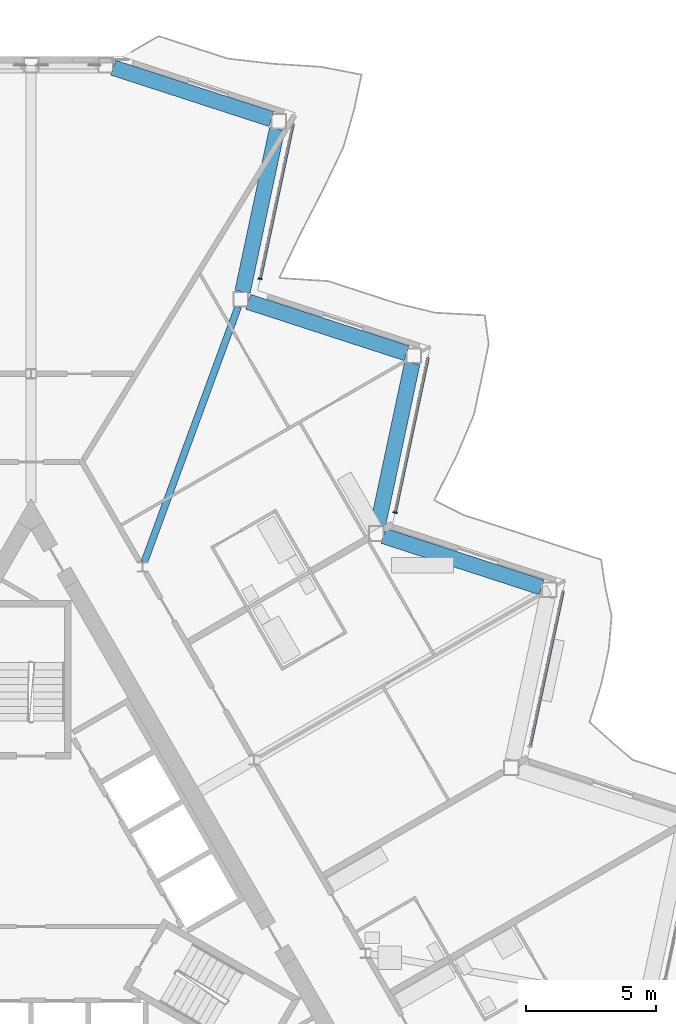
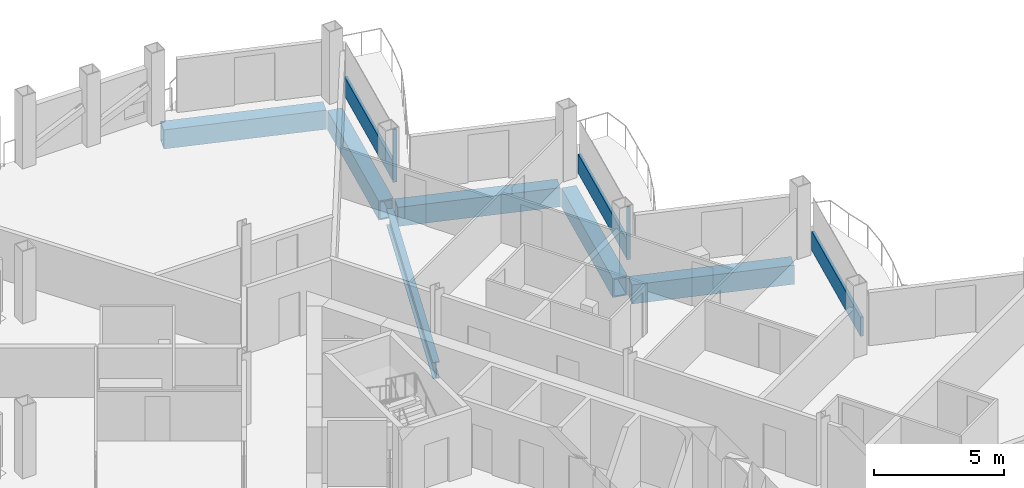
# One storey, part 11 of 28: 6 beams, 5 members, 3 elements without a shape of their own.
"""IFC4 building model written with IfcOpenShell, lengths in metres."""

from ifc_helpers import new_model, si_unit, direction, frame, origin, origin_2d, place, context, subcontext, project, spatial, rectangle, hollow_rectangle, i_section, extrude, material, layer, layer_set, material_profile, profile_set, type_object, element, aggregate, save


model = new_model("IFC4")

# Units and contexts
model_context = context("Model", 3, precision=1e-05, world=origin(), true_north=direction((0.0, 1.0)))
body_context = subcontext(model_context, "Body", "Model", "MODEL_VIEW")
ifc_project = project(units=[si_unit("LENGTHUNIT", "METRE"), si_unit("AREAUNIT", "SQUARE_METRE"), si_unit("VOLUMEUNIT", "CUBIC_METRE"), si_unit("PLANEANGLEUNIT", "RADIAN"), si_unit("MASSUNIT", "GRAM", prefix="KILO")], contexts=[model_context])

# Site, building, storey
site_placement = place(None, origin())
site = spatial("IfcSite", under=ifc_project, at=site_placement, CompositionType="ELEMENT")
building_placement = place(site_placement, origin())
building = spatial("IfcBuilding", under=site, at=building_placement, Name="Cormorant Prow Tower", CompositionType="ELEMENT")
storey_placement = place(building_placement, frame((0.0, 0.0, 301.800048828125)))
storey = spatial("IfcBuildingStorey", under=building, at=storey_placement, Name="L65", CompositionType="ELEMENT", Elevation=301.800048828125)

# Beams
ifc_material_1 = material(Name="Structural steel ASTM A572 Gr 50", Category="steel")
ifc_material_profile_1 = material_profile(ifc_material_1, hollow_rectangle(XDim=0.60009765625, YDim=0.89990234375, WallThickness=0.06005859375, at=origin_2d()), Name="Box 900x600x60")
ifc_profile_set_1 = profile_set([ifc_material_profile_1], Name="Structural steel ASTM A572 Gr 50")
beam_type_1 = type_object("IfcBeamType", Name="Belt truss top chord 900x600x60", PredefinedType="BEAM", material=ifc_profile_set_1)
for number, where, z_axis, x_axis, name in (
    (1, (19.640380859375, 11.5966796875, -0.75), (-0.95105314132, 0.309027381286, 0.0), (-0.309027381286, -0.95105314132, 0.0), "Belt truss top chord TC2 ENE05-ENE06 L65"),
    (2, (13.334228515625, 13.95947265625, -0.75), (0.207920386839, 0.978145752297, 0.0), (-0.978145752297, 0.207920386839, 0.0), "Belt truss top chord TC2 ENE06-ENE07 L65"),
    (3, (14.441162109375, 20.601806640625, -0.75), (-0.95105314132, 0.309027381286, 0.0), (-0.309027381286, -0.95105314132, 0.0), "Belt truss top chord TC2 ENE07-ENE08 L65"),
):
    element("IfcBeam", number, at=place(storey_placement, frame(where, z_axis=z_axis, x_axis=x_axis)), inside=storey, type_object=beam_type_1, Name=name, PredefinedType="BEAM", context=body_context, shape_type="SweptSolid", body=[
        extrude(hollow_rectangle(XDim=0.60009765625, YDim=0.89990234375, WallThickness=0.06005859375, at=origin_2d()), origin(), (0.0, 0.0, 1.0), 6.39599609375),
    ])
beam_1_placement = place(storey_placement, frame((8.13525390625, 22.96435546875, -0.75), z_axis=(0.20791262393, 0.978147402394, 0.0), x_axis=(-0.978147402394, 0.20791262393, 0.0)))
element("IfcBeam", 4, at=beam_1_placement, inside=storey, type_object=beam_type_1, Name="Belt truss top chord TC2 ENE08-ENE09 L65", PredefinedType="BEAM", context=body_context, shape_type="SweptSolid", body=[
    extrude(hollow_rectangle(XDim=0.60009765625, YDim=0.89990234375, WallThickness=0.06005859375, at=origin_2d()), origin(), (0.0, 0.0, 1.0), 6.396240234375),
])
beam_2_placement = place(storey_placement, frame((9.2421875, 29.60693359375, -0.75), z_axis=(-0.951064359156, 0.308992855489, 0.0), x_axis=(-0.308992855489, -0.951064359156, 0.0)))
element("IfcBeam", 5, at=beam_2_placement, inside=storey, type_object=beam_type_1, Name="Belt truss top chord TC2 ENE09-N00 L65", PredefinedType="BEAM", context=body_context, shape_type="SweptSolid", body=[
    extrude(hollow_rectangle(XDim=0.60009765625, YDim=0.89990234375, WallThickness=0.06005859375, at=origin_2d()), origin(), (0.0, 0.0, 1.0), 6.39599609375),
])
ifc_material_2 = material(Name="Structural steel ASTM A992 Gr 50", Category="steel")
ifc_material_profile_2 = material_profile(ifc_material_2, i_section(OverallWidth=0.267822265625, OverallDepth=0.77001953125, WebThickness=0.015625, FlangeThickness=0.025390625, at=origin_2d()), Name="W30x132")
ifc_profile_set_2 = profile_set([ifc_material_profile_2], Name="Structural steel ASTM A992 Gr 50")
beam_type_2 = type_object("IfcBeamType", Name="Radial floor beam W30x132", PredefinedType="BEAM", material=ifc_profile_set_2)
beam_3_placement = place(storey_placement, frame((4.357421875, 12.5673828125, -0.68505859375), z_axis=(0.345131226703, 0.938554439739, 0.0), x_axis=(-0.938554439739, 0.345131226703, 0.0)))
element("IfcBeam", 6, at=beam_3_placement, inside=storey, type_object=beam_type_2, Name="Radial floor beam FB3 12 L65", PredefinedType="BEAM", context=body_context, shape_type="SweptSolid", body=[
    extrude(i_section(OverallWidth=0.267822265625, OverallDepth=0.77001953125, WebThickness=0.015625, FlangeThickness=0.025390625, at=origin_2d()), origin(), (0.0, 0.0, 1.0), 10.465087890625),
])

# Curtain wall, member
ifc_material_3 = material(Name="Aluminium 6063-T6", Category="aluminium")
ifc_layer = layer(ifc_material_3, 0.159912109375)
ifc_layer_set = layer_set([ifc_layer], Name="Aluminium 6063-T6")
curtain_wall_type = type_object("IfcCurtainWallType", Name="Residential unitised curtain wall 160", PredefinedType="NOTDEFINED", material=ifc_layer_set)
curtain_wall_1_placement = place(storey_placement, origin())
curtain_wall_1 = element("IfcCurtainWall", 7, at=curtain_wall_1_placement, inside=storey, type_object=curtain_wall_type, Name="Residential curtain wall ENE06", PredefinedType="NOTDEFINED")
ifc_material_4 = material(Name="Aluminium 6063-T6", Category="aluminium")
ifc_material_profile_3 = material_profile(ifc_material_4, rectangle(XDim=0.159912109375, YDim=0.050048828125, at=origin_2d()), Name="Residential mullion 50x160")
ifc_profile_set_3 = profile_set([ifc_material_profile_3], Name="Aluminium 6063-T6")
member_type_1 = type_object("IfcMemberType", Name="Residential mullion 50x160", PredefinedType="MULLION", material=ifc_profile_set_3)
member_1_placement = place(storey_placement, frame((14.001953125, 14.471923828125, 0.0), z_axis=(0.0, 0.0, 1.0), x_axis=(-0.978147600523, 0.207911691808, 0.0)))
member_1 = element("IfcMember", 8, at=member_1_placement, type_object=member_type_1, Name="Residential mullion ENE06", PredefinedType="MULLION", context=body_context, shape_type="SweptSolid", body=[
    extrude(rectangle(XDim=0.159912109375, YDim=0.050048828125, at=origin_2d()), origin(), (0.0, 0.0, 1.0), 2.48779296875),
])

curtain_wall_2_placement = place(storey_placement, origin())
curtain_wall_2 = element("IfcCurtainWall", 9, at=curtain_wall_2_placement, inside=storey, type_object=curtain_wall_type, Name="Residential curtain wall ENE08", PredefinedType="NOTDEFINED")
member_2_placement = place(storey_placement, frame((8.81103515625, 23.462890625, 0.0), z_axis=(0.0, 0.0, 1.0), x_axis=(-0.978147606714, 0.207911662683, 0.0)))
member_2 = element("IfcMember", 10, at=member_2_placement, type_object=member_type_1, Name="Residential mullion ENE08", PredefinedType="MULLION", context=body_context, shape_type="SweptSolid", body=[
    extrude(rectangle(XDim=0.159912109375, YDim=0.050048828125, at=origin_2d()), origin(), (0.0, 0.0, 1.0), 2.48779296875),
])

curtain_wall_3_placement = place(storey_placement, origin())
curtain_wall_3 = element("IfcCurtainWall", 11, at=curtain_wall_3_placement, inside=storey, type_object=curtain_wall_type, Name="Residential curtain wall ENE04", PredefinedType="NOTDEFINED")
ifc_material_5 = material(Name="Terracotta", Category="masonry")
ifc_material_profile_4 = material_profile(ifc_material_5, rectangle(XDim=0.1201171875, YDim=0.89990234375, at=origin_2d()), Name="Residential terracotta spandrel rail 120x900")
ifc_profile_set_4 = profile_set([ifc_material_profile_4], Name="Terracotta")
member_type_2 = type_object("IfcMemberType", Name="Residential terracotta spandrel rail 120x900", PredefinedType="USERDEFINED", material=ifc_profile_set_4)
member_3_placement = place(storey_placement, frame((19.1982421875, 5.50537109375, 0.449951171875), z_axis=(0.207918432162, 0.978146167793, 0.0), x_axis=(-0.978146167793, 0.207918432162, 0.0)))
member_3 = element("IfcMember", 12, at=member_3_placement, type_object=member_type_2, Name="Residential spandrel rail ENE04", ObjectType="TRANSOM", PredefinedType="USERDEFINED", context=body_context, shape_type="SweptSolid", body=[
    extrude(rectangle(XDim=0.1201171875, YDim=0.89990234375, at=origin_2d()), origin(), (0.0, 0.0, 1.0), 6.067138671875),
])
aggregate(curtain_wall_3, [member_3])

# Member
member_4_placement = place(storey_placement, frame((14.00732421875, 14.496337890625, 0.449951171875), z_axis=(0.207879931562, 0.978154350833, 0.0), x_axis=(-0.978154350833, 0.207879931562, 0.0)))
member_4 = element("IfcMember", 13, at=member_4_placement, type_object=member_type_2, Name="Residential spandrel rail ENE06", ObjectType="TRANSOM", PredefinedType="USERDEFINED", context=body_context, shape_type="SweptSolid", body=[
    extrude(rectangle(XDim=0.1201171875, YDim=0.89990234375, at=origin_2d()), origin(), (0.0, 0.0, 1.0), 6.067138671875),
])

aggregate(curtain_wall_1, [member_1, member_4])

member_5_placement = place(storey_placement, frame((8.81640625, 23.4873046875, 0.449951171875), z_axis=(0.207879931562, 0.978154350833, 0.0), x_axis=(-0.978154350833, 0.207879931562, 0.0)))
member_5 = element("IfcMember", 14, at=member_5_placement, type_object=member_type_2, Name="Residential spandrel rail ENE08", ObjectType="TRANSOM", PredefinedType="USERDEFINED", context=body_context, shape_type="SweptSolid", body=[
    extrude(rectangle(XDim=0.1201171875, YDim=0.89990234375, at=origin_2d()), origin(), (0.0, 0.0, 1.0), 6.067138671875),
])

aggregate(curtain_wall_2, [member_2, member_5])

save(model, "model.ifc")
